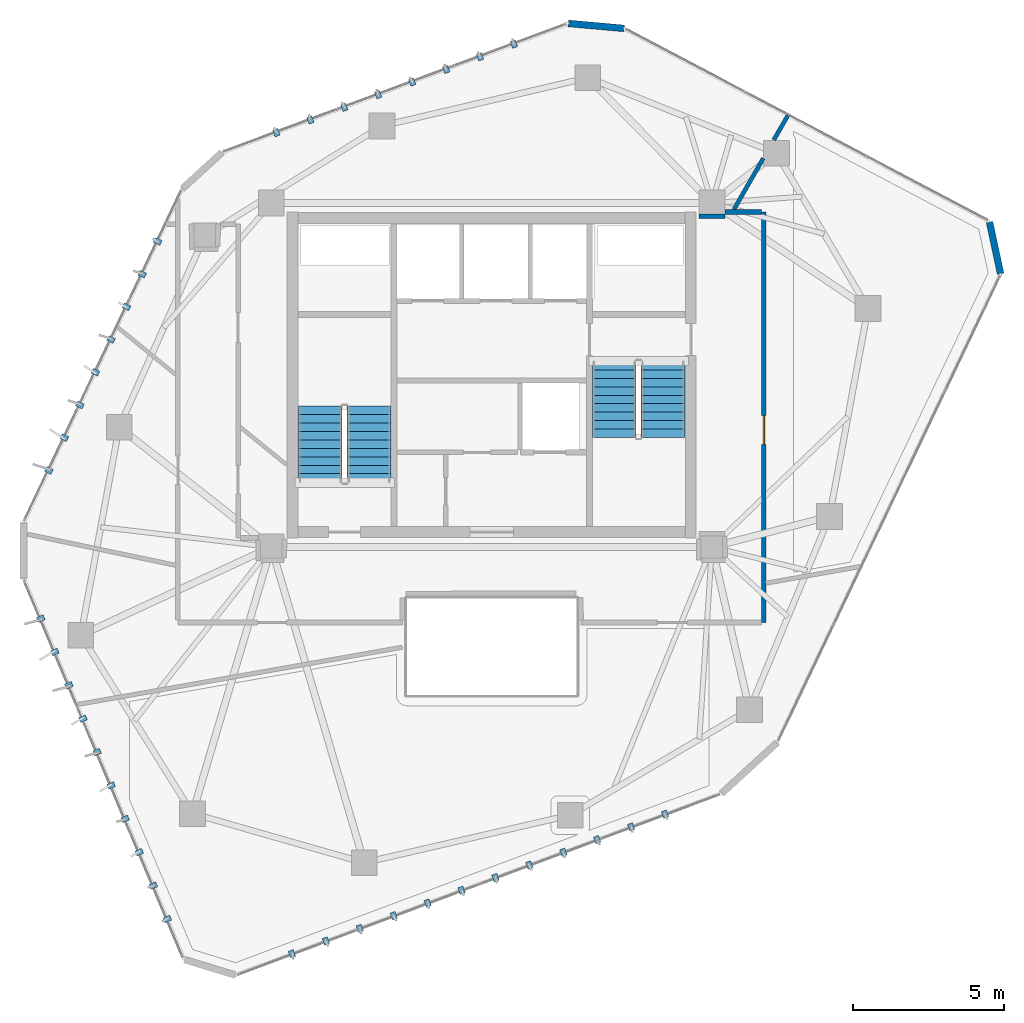
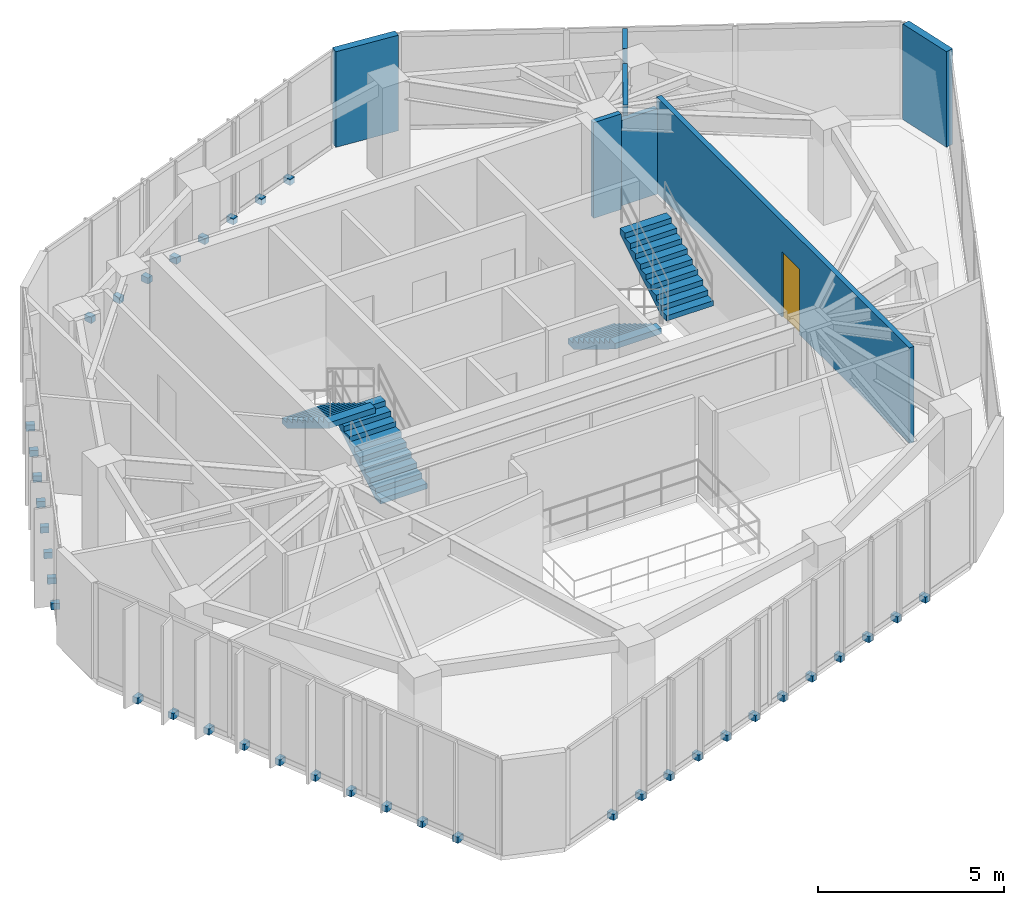
# One storey, part 18 of 20: 38 discrete accessories, 7 walls, 4 stair flights, 1 door, 1 opening, 2 elements without a shape of their own.
"""IFC4 building model written with IfcOpenShell, lengths in metres."""

from ifc_helpers import new_model, si_unit, direction, frame, frame_2d, origin, origin_2d, place, context, subcontext, project, spatial, polyline, rectangle, outline, extrude, source, transform, mapped, material, layer, layer_set, type_object, type_shapes, element, fill, aggregate, save


model = new_model("IFC4")

# Units and contexts
model_context = context("Model", 3, precision=1e-05, world=origin(), true_north=direction((0.0, 1.0)))
body_context = subcontext(model_context, "Body", "Model", "MODEL_VIEW")
ifc_project = project(units=[si_unit("LENGTHUNIT", "METRE"), si_unit("AREAUNIT", "SQUARE_METRE"), si_unit("VOLUMEUNIT", "CUBIC_METRE"), si_unit("PLANEANGLEUNIT", "RADIAN"), si_unit("MASSUNIT", "GRAM", prefix="KILO")], contexts=[model_context])

# Site, building, storey
site_placement = place(None, origin())
site = spatial("IfcSite", under=ifc_project, at=site_placement, CompositionType="ELEMENT")
building_placement = place(site_placement, origin())
building = spatial("IfcBuilding", under=site, at=building_placement, Name="Talar Marvaseh", CompositionType="ELEMENT")
storey_placement = place(building_placement, frame((0.0, 0.0, 281.60009765625)))
storey = spatial("IfcBuildingStorey", under=building, at=storey_placement, Name="L75", CompositionType="ELEMENT", Elevation=281.60009765625)

# Walls
ifc_material_1 = material(Name="Precast concrete C45/55", Category="concrete")
ifc_layer_1 = layer(ifc_material_1, 0.22509765625)
ifc_layer_set_1 = layer_set([ifc_layer_1], Name="Precast concrete C45/55")
wall_type_1 = type_object("IfcWallType", Name="Chamfered Hexagonal Corner Pier Wall Z4 225", PredefinedType="SOLIDWALL", material=ifc_layer_set_1)
wall_1_placement = place(storey_placement, frame((28.54248046875, 42.852294921875, 0.0), z_axis=(0.0, 0.0, 1.0), x_axis=(0.996005607323, -0.089290706017, 0.0)))
element("IfcWall", 1, at=wall_1_placement, inside=storey, type_object=wall_type_1, Name="L75 Chamfered Corner Limestone Pier 4", PredefinedType="SOLIDWALL", context=body_context, shape_type="SweptSolid", body=[
    extrude(rectangle(XDim=1.8564453125, YDim=0.22509765625, at=frame_2d((0.92822265625, 0.0))), origin(), (0.0, 0.0, 1.0), 3.139892578125),
])
wall_2_placement = place(storey_placement, frame((42.50048828125, 36.2705078125, 0.0), z_axis=(0.0, 0.0, 1.0), x_axis=(0.20929197059, -0.977853195038, 0.0)))
element("IfcWall", 2, at=wall_2_placement, inside=storey, type_object=wall_type_1, Name="L75 Chamfered Corner Limestone Pier 5", PredefinedType="SOLIDWALL", context=body_context, shape_type="SweptSolid", body=[
    extrude(rectangle(XDim=1.7578125, YDim=0.22509765625, at=frame_2d((0.87890625, 0.0))), origin(), (0.0, 0.0, 1.0), 3.139892578125),
])

# Wall, opening, door
ifc_material_2 = material(Name="Gypsum Board Partition Assembly")
ifc_layer_2 = layer(ifc_material_2, 0.155029296875)
ifc_layer_set_2 = layer_set([ifc_layer_2], Name="Gypsum Board Partition Assembly")
wall_type_2 = type_object("IfcWallType", Name="Corridor Fire-Rated Acoustic Partition 155", PredefinedType="PARTITIONING", material=ifc_layer_set_2)
wall_3_placement = place(storey_placement, frame((35.02001953125, 36.60009765625, 0.0), z_axis=(0.0, 0.0, 1.0), x_axis=(0.0, -1.0, 0.0)))
wall_3 = element("IfcWall", 3, at=wall_3_placement, inside=storey, type_object=wall_type_2, Name="L75 Interior Partition Wall", PredefinedType="PARTITIONING", context=body_context, shape_type="SweptSolid", body=[
    extrude(rectangle(XDim=13.60009765625, YDim=0.155029296875, at=frame_2d((6.800048828125, 0.0))), origin(), (0.0, 0.0, 1.0), 3.139892578125),
])
opening_placement = place(wall_3_placement, frame((6.74560546875, 0.0, 0.0)))
opening = element("IfcOpeningElement", 4, at=opening_placement, cuts=wall_3, Name="Opening DR-WC095", PredefinedType="OPENING", context=body_context, shape_type="SweptSolid", body=[
    extrude(rectangle(XDim=0.949951171875, YDim=2.14990234375, at=frame_2d((0.47509765625, 1.074951171875))), frame((0.0, 0.08740234375, 0.0), z_axis=(0.0, -1.0, 0.0), x_axis=(1.0, 0.0, 0.0)), (0.0, 0.0, 1.0), 0.175048828125),
])
ifc_material_3 = material(Name="Acoustic Engineered Oak Timber", Category="wood")
door_type = type_object("IfcDoorType", Name="Washroom and Service Room Door 950x2150", OperationType="NOTDEFINED", PredefinedType="DOOR", material=ifc_material_3)
shared_shape_1 = source(origin(), body_context, "Body", "SweptSolid", [
    extrude(rectangle(XDim=0.949951171875, YDim=2.14990234375, at=frame_2d((0.47509765625, 1.074951171875))), frame((0.0, 0.02490234375, 0.0), z_axis=(0.0, -1.0, 0.0), x_axis=(1.0, 0.0, 0.0)), (0.0, 0.0, 1.0), 0.050048828125),
])
type_shapes(door_type, [shared_shape_1])
door_placement = place(opening_placement, origin())
door = element("IfcDoor", 5, at=door_placement, inside=storey, type_object=door_type, Name="L75 Collection Conservation Store Door", OperationType="SINGLE_SWING_LEFT", OverallHeight=2.14990234375, OverallWidth=0.949951171875, PredefinedType="DOOR", context=body_context, shape_type="MappedRepresentation", body=[
    mapped(shared_shape_1, transform((0.0, 0.0, 0.0), x_axis=(1.0, 0.0, 0.0), y_axis=(0.0, 1.0, 0.0), z_axis=(0.0, 0.0, 1.0), scale=1.0)),
])
fill(opening, door)

# Walls
wall_4_placement = place(storey_placement, frame((32.8701171875, 36.464599609375, 0.0), z_axis=(0.0, 0.0, 1.0), x_axis=(0.999986873463, -0.005123758532, 0.0)))
element("IfcWall", 6, at=wall_4_placement, inside=storey, type_object=wall_type_2, Name="L75 Interior Partition Wall", PredefinedType="PARTITIONING", context=body_context, shape_type="SweptSolid", body=[
    extrude(rectangle(XDim=0.857666015625, YDim=0.155029296875, at=frame_2d((0.4287109375, 0.0))), origin(), (0.0, 0.0, 1.0), 3.139892578125),
])
wall_5_placement = place(storey_placement, frame((33.739990234375, 36.60009765625, 0.0), z_axis=(0.0, 0.0, 1.0), x_axis=(1.0, 0.0, 0.0)))
element("IfcWall", 7, at=wall_5_placement, inside=storey, type_object=wall_type_2, Name="L75 Interior Partition Wall", PredefinedType="PARTITIONING", context=body_context, shape_type="SweptSolid", body=[
    extrude(rectangle(XDim=1.196533203125, YDim=0.155029296875, at=frame_2d((0.59814453125, 0.0))), origin(), (0.0, 0.0, 1.0), 2.802001953125),
])
ifc_layer_3 = layer(ifc_material_2, 0.135009765625)
ifc_layer_set_3 = layer_set([ifc_layer_3], Name="Gypsum Board Partition Assembly")
wall_type_3 = type_object("IfcWallType", Name="Gallery High-Acoustic Partition 135", PredefinedType="PARTITIONING", material=ifc_layer_set_3)
wall_6_placement = place(storey_placement, frame((34.02783203125, 36.68359375, 0.0), z_axis=(0.0, 0.0, 1.0), x_axis=(0.497241256137, 0.867612317337, 0.0)))
element("IfcWall", 8, at=wall_6_placement, inside=storey, type_object=wall_type_3, Name="L75 Interior Partition Wall", PredefinedType="PARTITIONING", context=body_context, shape_type="SweptSolid", body=[
    extrude(rectangle(XDim=1.955078125, YDim=0.135009765625, at=frame_2d((0.9775390625, 0.0))), origin(), (0.0, 0.0, 1.0), 3.139892578125),
])
wall_7_placement = place(storey_placement, frame((35.35009765625, 38.989990234375, 0.0), z_axis=(0.0, 0.0, 1.0), x_axis=(0.4988154565, 0.866708221005, 0.0)))
element("IfcWall", 9, at=wall_7_placement, inside=storey, type_object=wall_type_3, Name="L75 Interior Partition Wall", PredefinedType="PARTITIONING", context=body_context, shape_type="SweptSolid", body=[
    extrude(rectangle(XDim=0.932373046875, YDim=0.135009765625, at=frame_2d((0.46630859375, 0.0))), origin(), (0.0, 0.0, 1.0), 3.139892578125),
])

# Stair, stair flights
ifc_material_4 = material(Name="Concrete C40/50", Category="concrete")
stair_type = type_object("IfcStairType", Name="Reinforced Concrete High-Rise Exit Stair Type C", PredefinedType="HALF_TURN_STAIR", material=ifc_material_4)
stair_1_placement = place(storey_placement, origin())
stair_1 = element("IfcStair", 10, at=stair_1_placement, inside=storey, type_object=stair_type, Name="L75 Tower West Core Exit Stair", PredefinedType="HALF_TURN_STAIR")
ifc_layer_4 = layer(ifc_material_4, 0.159912109375)
ifc_layer_set_4 = layer_set([ifc_layer_4], Name="Concrete C40/50")
stair_flight_type = type_object("IfcStairFlightType", Name="Reinforced Concrete Straight Stair Flight 160", PredefinedType="STRAIGHT", material=ifc_layer_set_4)
stair_flight_1_placement = place(storey_placement, frame((21.93505859375, 27.64990234375, 0.0), z_axis=(0.0, 0.0, 1.0), x_axis=(0.0, 1.0, 0.0)))
stair_flight_1 = element("IfcStairFlight", 11, at=stair_flight_1_placement, type_object=stair_flight_type, Name="ST-1 flight 1", NumberOfRisers=10, NumberOfTreads=9, PredefinedType="STRAIGHT", RiserHeight=0.17, TreadLength=0.28, context=body_context, shape_type="SweptSolid", body=[
    extrude(outline(polyline([(0.0, 0.0), (0.0, 0.169921875), (0.280029296875, 0.169921875), (0.280029296875, 0.340087890625), (0.56005859375, 0.340087890625), (0.56005859375, 0.510009765625), (0.840087890625, 0.510009765625), (0.840087890625, 0.679931640625), (1.1201171875, 0.679931640625), (1.1201171875, 0.85009765625), (1.39990234375, 0.85009765625), (1.39990234375, 1.02001953125), (1.679931640625, 1.02001953125), (1.679931640625, 1.18994140625), (1.9599609375, 1.18994140625), (1.9599609375, 1.360107421875), (2.239990234375, 1.360107421875), (2.239990234375, 1.530029296875), (2.52001953125, 1.530029296875), (2.52001953125, 1.699951171875), (2.52001953125, 1.343017578125), (0.30810546875, 0.0), (0.0, 0.0)])), frame((0.0, 0.72509765625, 0.0), z_axis=(0.0, -1.0, 0.0), x_axis=(1.0, 0.0, 0.0)), (0.0, 0.0, 1.0), 1.449951171875),
])
stair_flight_2_placement = place(storey_placement, frame((20.324951171875, 30.169921875, 1.699951171875), z_axis=(0.0, 0.0, 1.0), x_axis=(0.0, -1.0, 0.0)))
stair_flight_2 = element("IfcStairFlight", 12, at=stair_flight_2_placement, type_object=stair_flight_type, Name="ST-1 flight 2", NumberOfRisers=10, NumberOfTreads=9, PredefinedType="STRAIGHT", RiserHeight=0.17, TreadLength=0.28, context=body_context, shape_type="SweptSolid", body=[
    extrude(outline(polyline([(0.0, 0.0), (0.0, 0.169921875), (0.280029296875, 0.169921875), (0.280029296875, 0.340087890625), (0.56005859375, 0.340087890625), (0.56005859375, 0.510009765625), (0.840087890625, 0.510009765625), (0.840087890625, 0.679931640625), (1.1201171875, 0.679931640625), (1.1201171875, 0.85009765625), (1.39990234375, 0.85009765625), (1.39990234375, 1.02001953125), (1.679931640625, 1.02001953125), (1.679931640625, 1.18994140625), (1.9599609375, 1.18994140625), (1.9599609375, 1.360107421875), (2.239990234375, 1.360107421875), (2.239990234375, 1.530029296875), (2.52001953125, 1.530029296875), (2.52001953125, 1.699951171875), (2.52001953125, 1.343017578125), (0.30810546875, 0.0), (0.0, 0.0)])), frame((0.0, 0.72509765625, 0.0), z_axis=(0.0, -1.0, 0.0), x_axis=(1.0, 0.0, 0.0)), (0.0, 0.0, 1.0), 1.449951171875),
])
aggregate(stair_1, [stair_flight_1, stair_flight_2])

stair_2_placement = place(storey_placement, origin())
stair_2 = element("IfcStair", 13, at=stair_2_placement, inside=storey, type_object=stair_type, Name="L75 Tower East Core Exit Stair", PredefinedType="HALF_TURN_STAIR")
stair_flight_3_placement = place(storey_placement, frame((30.06494140625, 31.64990234375, 0.0), z_axis=(0.0, 0.0, 1.0), x_axis=(0.0, -1.0, 0.0)))
stair_flight_3 = element("IfcStairFlight", 14, at=stair_flight_3_placement, type_object=stair_flight_type, Name="ST-2 flight 1", NumberOfRisers=10, NumberOfTreads=9, PredefinedType="STRAIGHT", RiserHeight=0.17, TreadLength=0.28, context=body_context, shape_type="SweptSolid", body=[
    extrude(outline(polyline([(0.0, 0.0), (0.0, 0.169921875), (0.280029296875, 0.169921875), (0.280029296875, 0.340087890625), (0.56005859375, 0.340087890625), (0.56005859375, 0.510009765625), (0.840087890625, 0.510009765625), (0.840087890625, 0.679931640625), (1.1201171875, 0.679931640625), (1.1201171875, 0.85009765625), (1.39990234375, 0.85009765625), (1.39990234375, 1.02001953125), (1.679931640625, 1.02001953125), (1.679931640625, 1.18994140625), (1.9599609375, 1.18994140625), (1.9599609375, 1.360107421875), (2.239990234375, 1.360107421875), (2.239990234375, 1.530029296875), (2.52001953125, 1.530029296875), (2.52001953125, 1.699951171875), (2.52001953125, 1.343017578125), (0.30810546875, 0.0), (0.0, 0.0)])), frame((0.0, 0.72509765625, 0.0), z_axis=(0.0, -1.0, 0.0), x_axis=(1.0, 0.0, 0.0)), (0.0, 0.0, 1.0), 1.449951171875),
])
stair_flight_4_placement = place(storey_placement, frame((31.675048828125, 29.1298828125, 1.699951171875), z_axis=(0.0, 0.0, 1.0), x_axis=(0.0, 1.0, 0.0)))
stair_flight_4 = element("IfcStairFlight", 15, at=stair_flight_4_placement, type_object=stair_flight_type, Name="ST-2 flight 2", NumberOfRisers=10, NumberOfTreads=9, PredefinedType="STRAIGHT", RiserHeight=0.17, TreadLength=0.28, context=body_context, shape_type="SweptSolid", body=[
    extrude(outline(polyline([(0.0, 0.0), (0.0, 0.169921875), (0.280029296875, 0.169921875), (0.280029296875, 0.340087890625), (0.56005859375, 0.340087890625), (0.56005859375, 0.510009765625), (0.840087890625, 0.510009765625), (0.840087890625, 0.679931640625), (1.1201171875, 0.679931640625), (1.1201171875, 0.85009765625), (1.39990234375, 0.85009765625), (1.39990234375, 1.02001953125), (1.679931640625, 1.02001953125), (1.679931640625, 1.18994140625), (1.9599609375, 1.18994140625), (1.9599609375, 1.360107421875), (2.239990234375, 1.360107421875), (2.239990234375, 1.530029296875), (2.52001953125, 1.530029296875), (2.52001953125, 1.699951171875), (2.52001953125, 1.343017578125), (0.30810546875, 0.0), (0.0, 0.0)])), frame((0.0, 0.72509765625, 0.0), z_axis=(0.0, -1.0, 0.0), x_axis=(1.0, 0.0, 0.0)), (0.0, 0.0, 1.0), 1.449951171875),
])
aggregate(stair_2, [stair_flight_3, stair_flight_4])

# Discrete accessories
ifc_material_5 = material(Name="Stainless Steel Grade 316", Category="steel")
discrete_accessory_type = type_object("IfcDiscreteAccessoryType", Name="Stainless Slab-Edge Fin Mounting Bracket", PredefinedType="BRACKET", material=ifc_material_5)
shared_shape_2 = source(origin(), body_context, "Body", "SweptSolid", [
    extrude(rectangle(XDim=0.239990234375, YDim=0.179931640625, at=origin_2d()), origin(), (0.0, 0.0, 1.0), 0.199951171875),
])
type_shapes(discrete_accessory_type, [shared_shape_2])
for number, where, z_axis, x_axis, name in (
    (16, (15.255126953125, 13.174560546875, -0.18017578125), (0.0, 0.0, 1.0), (-0.921524629468, -0.388319916157, 0.0), "L75 Vertical Fin Slab-Edge Bracket"),
    (17, (14.789306640625, 14.280517578125, -0.18017578125), (0.0, 0.0, 1.0), (-0.921524629468, -0.388319916157, 0.0), "L75 Vertical Fin Slab-Edge Bracket"),
    (18, (14.3232421875, 15.38623046875, -0.18017578125), (0.0, 0.0, 1.0), (-0.921524629468, -0.388319916157, 0.0), "L75 Vertical Fin Slab-Edge Bracket"),
    (19, (13.857421875, 16.4921875, -0.18017578125), (0.0, 0.0, 1.0), (-0.921524629468, -0.388319916157, 0.0), "L75 Vertical Fin Slab-Edge Bracket"),
    (20, (13.3916015625, 17.597900390625, -0.18017578125), (0.0, 0.0, 1.0), (-0.921524629468, -0.388319916157, 0.0), "L75 Vertical Fin Slab-Edge Bracket"),
    (21, (12.925537109375, 18.703857421875, -0.18017578125), (0.0, 0.0, 1.0), (-0.921524629468, -0.388319916157, 0.0), "L75 Vertical Fin Slab-Edge Bracket"),
    (22, (12.459716796875, 19.809814453125, -0.18017578125), (0.0, 0.0, 1.0), (-0.921524629468, -0.388319916157, 0.0), "L75 Vertical Fin Slab-Edge Bracket"),
    (23, (11.993896484375, 20.91552734375, -0.18017578125), (0.0, 0.0, 1.0), (-0.921524629468, -0.388319916157, 0.0), "L75 Vertical Fin Slab-Edge Bracket"),
    (24, (11.52783203125, 22.021484375, -0.18017578125), (0.0, 0.0, 1.0), (-0.921524629468, -0.388319916157, 0.0), "L75 Vertical Fin Slab-Edge Bracket"),
    (25, (11.06201171875, 23.127197265625, -0.18017578125), (0.0, 0.0, 1.0), (-0.921524629468, -0.388319916157, 0.0), "L75 Vertical Fin Slab-Edge Bracket"),
    (26, (11.32568359375, 28.041259765625, -0.18017578125), (0.0, 0.0, 1.0), (-0.903110579136, 0.429408059837, 0.0), "L75 Vertical Fin Slab-Edge Bracket"),
    (27, (11.8408203125, 29.125, -0.18017578125), (0.0, 0.0, 1.0), (-0.903110579136, 0.429408059837, 0.0), "L75 Vertical Fin Slab-Edge Bracket"),
    (28, (12.356201171875, 30.208740234375, -0.18017578125), (0.0, 0.0, 1.0), (-0.903110579136, 0.429408059837, 0.0), "L75 Vertical Fin Slab-Edge Bracket"),
    (29, (12.87158203125, 31.29248046875, -0.18017578125), (0.0, 0.0, 1.0), (-0.903110579136, 0.429408059837, 0.0), "L75 Vertical Fin Slab-Edge Bracket"),
    (30, (13.386962890625, 32.376220703125, -0.18017578125), (0.0, 0.0, 1.0), (-0.903110579136, 0.429408059837, 0.0), "L75 Vertical Fin Slab-Edge Bracket"),
    (31, (13.902099609375, 33.459716796875, -0.18017578125), (0.0, 0.0, 1.0), (-0.903110579136, 0.429408059837, 0.0), "L75 Vertical Fin Slab-Edge Bracket"),
    (32, (14.41748046875, 34.54345703125, -0.18017578125), (0.0, 0.0, 1.0), (-0.903110579136, 0.429408059837, 0.0), "L75 Vertical Fin Slab-Edge Bracket"),
    (33, (14.932861328125, 35.627197265625, -0.18017578125), (0.0, 0.0, 1.0), (-0.903110579136, 0.429408059837, 0.0), "L75 Vertical Fin Slab-Edge Bracket"),
    (34, (18.868408203125, 39.2333984375, -0.18017578125), (0.0, 0.0, 1.0), (-0.34906275922, 0.937099349122, 0.0), "L75 Vertical Fin Slab-Edge Bracket"),
    (35, (19.992919921875, 39.65234375, -0.18017578125), (0.0, 0.0, 1.0), (-0.34906275922, 0.937099349122, 0.0), "L75 Vertical Fin Slab-Edge Bracket"),
    (36, (21.1171875, 40.0712890625, -0.18017578125), (0.0, 0.0, 1.0), (-0.34906275922, 0.937099349122, 0.0), "L75 Vertical Fin Slab-Edge Bracket"),
    (37, (22.24169921875, 40.489990234375, -0.18017578125), (0.0, 0.0, 1.0), (-0.34906275922, 0.937099349122, 0.0), "L75 Vertical Fin Slab-Edge Bracket"),
    (38, (23.3662109375, 40.908935546875, -0.18017578125), (0.0, 0.0, 1.0), (-0.34906275922, 0.937099349122, 0.0), "L75 Vertical Fin Slab-Edge Bracket"),
    (39, (24.49072265625, 41.327880859375, -0.18017578125), (0.0, 0.0, 1.0), (-0.34906275922, 0.937099349122, 0.0), "L75 Vertical Fin Slab-Edge Bracket"),
    (40, (25.615234375, 41.746826171875, -0.18017578125), (0.0, 0.0, 1.0), (-0.34906275922, 0.937099349122, 0.0), "L75 Vertical Fin Slab-Edge Bracket"),
    (41, (26.73974609375, 42.165771484375, -0.18017578125), (0.0, 0.0, 1.0), (-0.34906275922, 0.937099349122, 0.0), "L75 Vertical Fin Slab-Edge Bracket"),
    (42, (31.747802734375, 16.64599609375, -0.18017578125), (0.0, 0.0, 1.0), (0.350370856062, -0.936611052264, 0.0), "L75 Vertical Fin Slab-Edge Bracket"),
    (43, (30.623779296875, 16.2255859375, -0.18017578125), (0.0, 0.0, 1.0), (0.350370856062, -0.936611052264, 0.0), "L75 Vertical Fin Slab-Edge Bracket"),
    (44, (29.499755859375, 15.80517578125, -0.18017578125), (0.0, 0.0, 1.0), (0.350370856062, -0.936611052264, 0.0), "L75 Vertical Fin Slab-Edge Bracket"),
    (45, (28.3759765625, 15.384765625, -0.18017578125), (0.0, 0.0, 1.0), (0.350370856062, -0.936611052264, 0.0), "L75 Vertical Fin Slab-Edge Bracket"),
    (46, (27.251953125, 14.96435546875, -0.18017578125), (0.0, 0.0, 1.0), (0.350370856062, -0.936611052264, 0.0), "L75 Vertical Fin Slab-Edge Bracket"),
    (47, (26.1279296875, 14.5439453125, -0.18017578125), (0.0, 0.0, 1.0), (0.350370856062, -0.936611052264, 0.0), "L75 Vertical Fin Slab-Edge Bracket"),
    (48, (25.00390625, 14.12353515625, -0.18017578125), (0.0, 0.0, 1.0), (0.350370856062, -0.936611052264, 0.0), "L75 Vertical Fin Slab-Edge Bracket"),
    (49, (23.880126953125, 13.703125, -0.18017578125), (0.0, 0.0, 1.0), (0.350370856062, -0.936611052264, 0.0), "L75 Vertical Fin Slab-Edge Bracket"),
    (50, (22.756103515625, 13.28271484375, -0.18017578125), (0.0, 0.0, 1.0), (0.350370856062, -0.936611052264, 0.0), "L75 Vertical Fin Slab-Edge Bracket"),
    (51, (21.632080078125, 12.8623046875, -0.18017578125), (0.0, 0.0, 1.0), (0.350370856062, -0.936611052264, 0.0), "L75 Vertical Fin Slab-Edge Bracket"),
    (52, (20.50830078125, 12.44189453125, -0.18017578125), (0.0, 0.0, 1.0), (0.350370856062, -0.936611052264, 0.0), "L75 Vertical Fin Slab-Edge Bracket"),
    (53, (19.38427734375, 12.021484375, -0.18017578125), (0.0, 0.0, 1.0), (0.350370856062, -0.936611052264, 0.0), "L75 Vertical Fin Slab-Edge Bracket"),
):
    element("IfcDiscreteAccessory", number, at=place(storey_placement, frame(where, z_axis=z_axis, x_axis=x_axis)), inside=storey, type_object=discrete_accessory_type, Name=name, PredefinedType="BRACKET", context=body_context, shape_type="MappedRepresentation", body=[
        mapped(shared_shape_2, transform((0.0, 0.0, 0.0), x_axis=(1.0, 0.0, 0.0), y_axis=(0.0, 1.0, 0.0), z_axis=(0.0, 0.0, 1.0), scale=1.0)),
    ])

save(model, "model.ifc")
